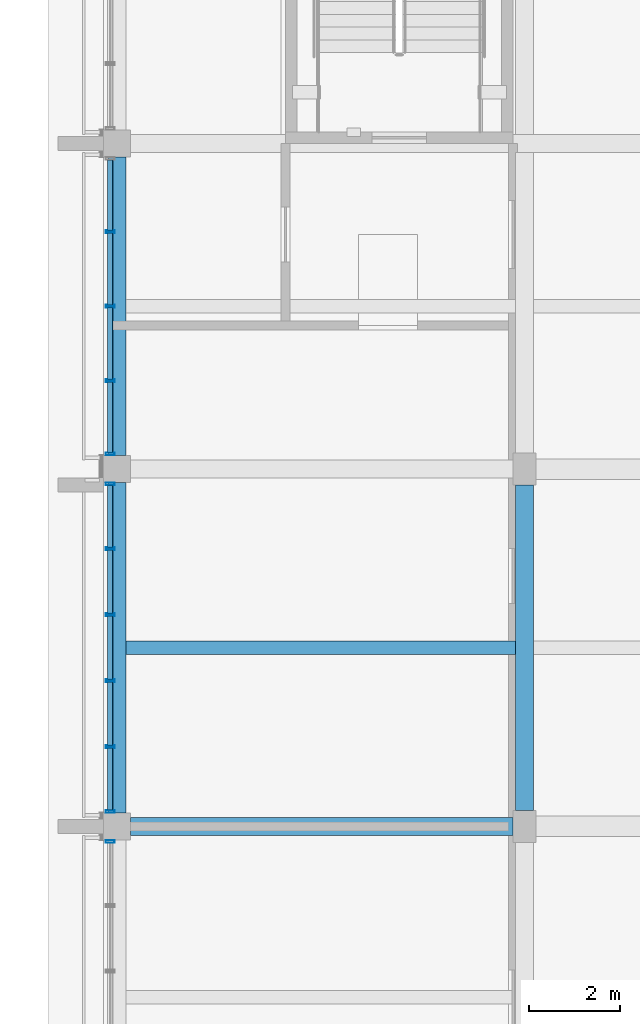
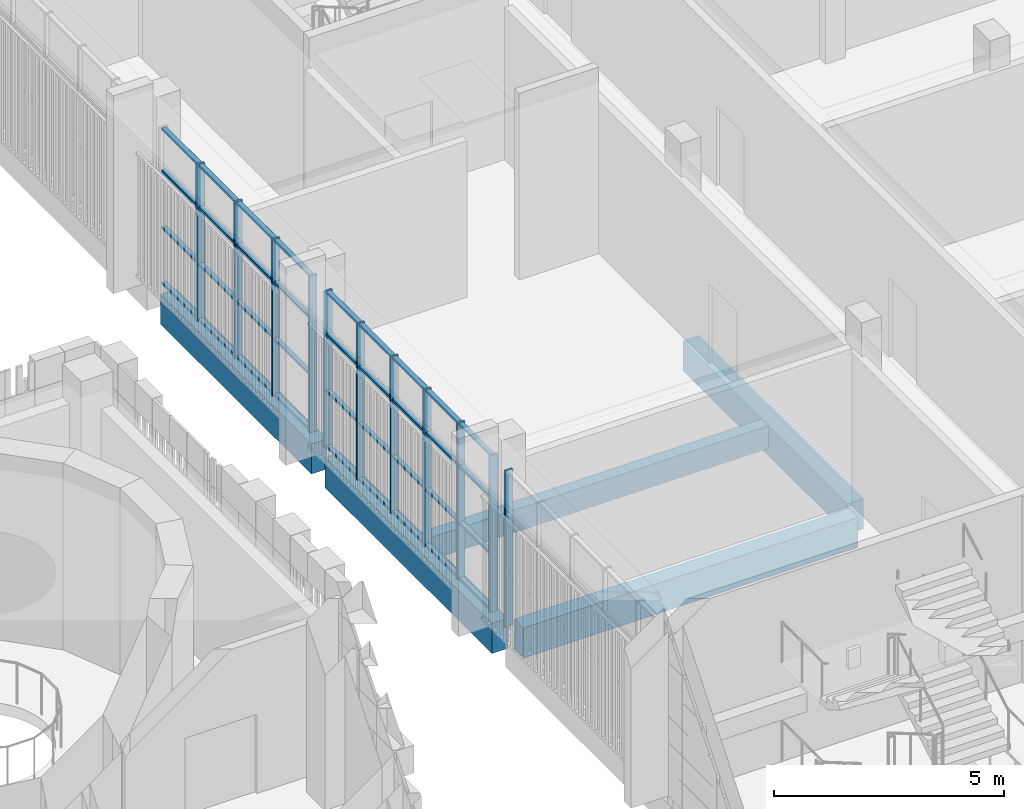
# One storey, part 32 of 125: 47 members, 5 beams, 3 elements without a shape of their own.
"""IFC4 building model written with IfcOpenShell, lengths in metres."""

from ifc_helpers import new_model, si_unit, direction, frame, origin, origin_2d, place, context, subcontext, project, spatial, rectangle, hollow_rectangle, extrude, material, material_profile, profile_set, type_object, element, aggregate, save


model = new_model("IFC4")

# Units and contexts
model_context = context("Model", 3, precision=1e-05, world=origin(), true_north=direction((0.0, 1.0)))
body_context = subcontext(model_context, "Body", "Model", "MODEL_VIEW")
ifc_project = project(units=[si_unit("LENGTHUNIT", "METRE"), si_unit("AREAUNIT", "SQUARE_METRE"), si_unit("VOLUMEUNIT", "CUBIC_METRE"), si_unit("PLANEANGLEUNIT", "RADIAN"), si_unit("MASSUNIT", "GRAM", prefix="KILO")], contexts=[model_context])

# Site, building, storey
site_placement = place(None, origin())
site = spatial("IfcSite", under=ifc_project, at=site_placement, CompositionType="ELEMENT")
building_placement = place(site_placement, origin())
building = spatial("IfcBuilding", under=site, at=building_placement, Name="Sun Court Science Centre", CompositionType="ELEMENT")
storey_placement = place(building_placement, frame((0.0, 0.0, 6.0)))
storey = spatial("IfcBuildingStorey", under=building, at=storey_placement, Name="L01", CompositionType="ELEMENT", Elevation=6.0)

# Curtain wall, member
ifc_material_1 = material(Name="Aluminium EN AW-6063 T6", Category="aluminium")
curtain_wall_type = type_object("IfcCurtainWallType", Name="Laboratory tall bay curtain wall 1500", PredefinedType="NOTDEFINED", material=ifc_material_1)
curtain_wall_1_placement = place(storey_placement, origin())
curtain_wall_1 = element("IfcCurtainWall", 1, at=curtain_wall_1_placement, inside=storey, type_object=curtain_wall_type, Name="Curtain wall V4 W L01 01", PredefinedType="NOTDEFINED")
ifc_material_2 = material(Name="Aluminium EN AW-6063 T6", Category="aluminium")
ifc_material_profile_1 = material_profile(ifc_material_2, hollow_rectangle(XDim=0.06005859375, YDim=0.199951171875, WallThickness=0.0048828125, InnerFilletRadius=0.0048828125, OuterFilletRadius=0.007568359375, at=origin_2d()), Name="AL 60x200x5")
ifc_profile_set_1 = profile_set([ifc_material_profile_1], Name="Aluminium EN AW-6063 T6")
member_type_1 = type_object("IfcMemberType", Name="Curtain wall mullion AL 60x200", PredefinedType="MULLION", material=ifc_profile_set_1)
member_1_placement = place(storey_placement, frame((78.14990234375, 20.669921875, 0.0), z_axis=(0.0, 0.0, 1.0), x_axis=(0.0, 1.0, 0.0)))
member_1 = element("IfcMember", 2, at=member_1_placement, type_object=member_type_1, Name="CW2-10 mullion 6", PredefinedType="MULLION", context=body_context, shape_type="SweptSolid", body=[
    extrude(hollow_rectangle(XDim=0.06005859375, YDim=0.199951171875, WallThickness=0.0048828125, InnerFilletRadius=0.0048828125, OuterFilletRadius=0.007568359375, at=origin_2d()), origin(), (0.0, 0.0, 1.0), 4.14990234375),
])
aggregate(curtain_wall_1, [member_1])

# Curtain wall, members
curtain_wall_2_placement = place(storey_placement, origin())
curtain_wall_2 = element("IfcCurtainWall", 3, at=curtain_wall_2_placement, inside=storey, type_object=curtain_wall_type, Name="Curtain wall V4 W L01 02", PredefinedType="NOTDEFINED")
member_2_placement = place(storey_placement, frame((78.14990234375, 21.330078125, 0.0), z_axis=(0.0, 0.0, 1.0), x_axis=(0.0, 1.0, 0.0)))
member_2 = element("IfcMember", 4, at=member_2_placement, type_object=member_type_1, Name="CW2-11 mullion 1", PredefinedType="MULLION", context=body_context, shape_type="SweptSolid", body=[
    extrude(hollow_rectangle(XDim=0.06005859375, YDim=0.199951171875, WallThickness=0.0048828125, InnerFilletRadius=0.0048828125, OuterFilletRadius=0.007568359375, at=origin_2d()), origin(), (0.0, 0.0, 1.0), 4.14990234375),
])
member_3_placement = place(storey_placement, frame((78.14990234375, 22.75, 0.0), z_axis=(0.0, 0.0, 1.0), x_axis=(0.0, 1.0, 0.0)))
member_3 = element("IfcMember", 5, at=member_3_placement, type_object=member_type_1, Name="CW2-11 mullion 2", PredefinedType="MULLION", context=body_context, shape_type="SweptSolid", body=[
    extrude(hollow_rectangle(XDim=0.06005859375, YDim=0.199951171875, WallThickness=0.0048828125, InnerFilletRadius=0.0048828125, OuterFilletRadius=0.007568359375, at=origin_2d()), origin(), (0.0, 0.0, 1.0), 4.14990234375),
])
member_4_placement = place(storey_placement, frame((78.14990234375, 24.199951171875, 0.0), z_axis=(0.0, 0.0, 1.0), x_axis=(0.0, 1.0, 0.0)))
member_4 = element("IfcMember", 6, at=member_4_placement, type_object=member_type_1, Name="CW2-11 mullion 3", PredefinedType="MULLION", context=body_context, shape_type="SweptSolid", body=[
    extrude(hollow_rectangle(XDim=0.06005859375, YDim=0.199951171875, WallThickness=0.0048828125, InnerFilletRadius=0.0048828125, OuterFilletRadius=0.007568359375, at=origin_2d()), origin(), (0.0, 0.0, 1.0), 4.14990234375),
])
member_5_placement = place(storey_placement, frame((78.14990234375, 25.64990234375, 0.0), z_axis=(0.0, 0.0, 1.0), x_axis=(0.0, 1.0, 0.0)))
member_5 = element("IfcMember", 7, at=member_5_placement, type_object=member_type_1, Name="CW2-11 mullion 4", PredefinedType="MULLION", context=body_context, shape_type="SweptSolid", body=[
    extrude(hollow_rectangle(XDim=0.06005859375, YDim=0.199951171875, WallThickness=0.0048828125, InnerFilletRadius=0.0048828125, OuterFilletRadius=0.007568359375, at=origin_2d()), origin(), (0.0, 0.0, 1.0), 4.14990234375),
])
member_6_placement = place(storey_placement, frame((78.14990234375, 27.10009765625, 0.0), z_axis=(0.0, 0.0, 1.0), x_axis=(0.0, 1.0, 0.0)))
member_6 = element("IfcMember", 8, at=member_6_placement, type_object=member_type_1, Name="CW2-11 mullion 5", PredefinedType="MULLION", context=body_context, shape_type="SweptSolid", body=[
    extrude(hollow_rectangle(XDim=0.06005859375, YDim=0.199951171875, WallThickness=0.0048828125, InnerFilletRadius=0.0048828125, OuterFilletRadius=0.007568359375, at=origin_2d()), origin(), (0.0, 0.0, 1.0), 4.14990234375),
])
member_7_placement = place(storey_placement, frame((78.14990234375, 28.52001953125, 0.0), z_axis=(0.0, 0.0, 1.0), x_axis=(0.0, 1.0, 0.0)))
member_7 = element("IfcMember", 9, at=member_7_placement, type_object=member_type_1, Name="CW2-11 mullion 6", PredefinedType="MULLION", context=body_context, shape_type="SweptSolid", body=[
    extrude(hollow_rectangle(XDim=0.06005859375, YDim=0.199951171875, WallThickness=0.0048828125, InnerFilletRadius=0.0048828125, OuterFilletRadius=0.007568359375, at=origin_2d()), origin(), (0.0, 0.0, 1.0), 4.14990234375),
])

curtain_wall_3_placement = place(storey_placement, origin())
curtain_wall_3 = element("IfcCurtainWall", 10, at=curtain_wall_3_placement, inside=storey, type_object=curtain_wall_type, Name="Curtain wall V4 W L01 03", PredefinedType="NOTDEFINED")
member_8_placement = place(storey_placement, frame((78.14990234375, 29.179931640625, 0.0), z_axis=(0.0, 0.0, 1.0), x_axis=(0.0, 1.0, 0.0)))
member_8 = element("IfcMember", 11, at=member_8_placement, type_object=member_type_1, Name="CW2-12 mullion 1", PredefinedType="MULLION", context=body_context, shape_type="SweptSolid", body=[
    extrude(hollow_rectangle(XDim=0.06005859375, YDim=0.199951171875, WallThickness=0.0048828125, InnerFilletRadius=0.0048828125, OuterFilletRadius=0.007568359375, at=origin_2d()), origin(), (0.0, 0.0, 1.0), 4.14990234375),
])
member_9_placement = place(storey_placement, frame((78.14990234375, 30.78759765625, 0.0), z_axis=(0.0, 0.0, 1.0), x_axis=(0.0, 1.0, 0.0)))
member_9 = element("IfcMember", 12, at=member_9_placement, type_object=member_type_1, Name="CW2-12 mullion 2", PredefinedType="MULLION", context=body_context, shape_type="SweptSolid", body=[
    extrude(hollow_rectangle(XDim=0.06005859375, YDim=0.199951171875, WallThickness=0.0048828125, InnerFilletRadius=0.0048828125, OuterFilletRadius=0.007568359375, at=origin_2d()), origin(), (0.0, 0.0, 1.0), 4.14990234375),
])
member_10_placement = place(storey_placement, frame((78.14990234375, 32.425048828125, 0.0), z_axis=(0.0, 0.0, 1.0), x_axis=(0.0, 1.0, 0.0)))
member_10 = element("IfcMember", 13, at=member_10_placement, type_object=member_type_1, Name="CW2-12 mullion 3", PredefinedType="MULLION", context=body_context, shape_type="SweptSolid", body=[
    extrude(hollow_rectangle(XDim=0.06005859375, YDim=0.199951171875, WallThickness=0.0048828125, InnerFilletRadius=0.0048828125, OuterFilletRadius=0.007568359375, at=origin_2d()), origin(), (0.0, 0.0, 1.0), 4.14990234375),
])
member_11_placement = place(storey_placement, frame((78.14990234375, 34.0625, 0.0), z_axis=(0.0, 0.0, 1.0), x_axis=(0.0, 1.0, 0.0)))
member_11 = element("IfcMember", 14, at=member_11_placement, type_object=member_type_1, Name="CW2-12 mullion 4", PredefinedType="MULLION", context=body_context, shape_type="SweptSolid", body=[
    extrude(hollow_rectangle(XDim=0.06005859375, YDim=0.199951171875, WallThickness=0.0048828125, InnerFilletRadius=0.0048828125, OuterFilletRadius=0.007568359375, at=origin_2d()), origin(), (0.0, 0.0, 1.0), 4.14990234375),
])

# Member
ifc_material_3 = material(Name="Aluminium EN AW-6063 T6", Category="aluminium")
ifc_material_profile_2 = material_profile(ifc_material_3, hollow_rectangle(XDim=0.06005859375, YDim=0.1201171875, WallThickness=0.00390625, InnerFilletRadius=0.00390625, OuterFilletRadius=0.006103515625, at=origin_2d()), Name="AL 60x120x4")
ifc_profile_set_2 = profile_set([ifc_material_profile_2], Name="Aluminium EN AW-6063 T6")
member_type_2 = type_object("IfcMemberType", Name="Curtain wall transom AL 60x120", PredefinedType="USERDEFINED", material=ifc_profile_set_2)
member_12_placement = place(storey_placement, frame((78.14990234375, 21.360107421875, 0.030029296875), z_axis=(0.0, 1.0, 0.0), x_axis=(0.0, 0.0, 1.0)))
member_12 = element("IfcMember", 15, at=member_12_placement, type_object=member_type_2, Name="CW2-11 transom 1.1", ObjectType="TRANSOM", PredefinedType="USERDEFINED", context=body_context, shape_type="SweptSolid", body=[
    extrude(hollow_rectangle(XDim=0.06005859375, YDim=0.1201171875, WallThickness=0.00390625, InnerFilletRadius=0.00390625, OuterFilletRadius=0.006103515625, at=origin_2d()), origin(), (0.0, 0.0, 1.0), 1.35986328125),
])

member_13_placement = place(storey_placement, frame((78.14990234375, 22.780029296875, 0.030029296875), z_axis=(0.0, 1.0, 0.0), x_axis=(0.0, 0.0, 1.0)))
member_13 = element("IfcMember", 16, at=member_13_placement, type_object=member_type_2, Name="CW2-11 transom 2.1", ObjectType="TRANSOM", PredefinedType="USERDEFINED", context=body_context, shape_type="SweptSolid", body=[
    extrude(hollow_rectangle(XDim=0.06005859375, YDim=0.1201171875, WallThickness=0.00390625, InnerFilletRadius=0.00390625, OuterFilletRadius=0.006103515625, at=origin_2d()), origin(), (0.0, 0.0, 1.0), 1.389892578125),
])

member_14_placement = place(storey_placement, frame((78.14990234375, 24.22998046875, 0.030029296875), z_axis=(0.0, 1.0, 0.0), x_axis=(0.0, 0.0, 1.0)))
member_14 = element("IfcMember", 17, at=member_14_placement, type_object=member_type_2, Name="CW2-11 transom 3.1", ObjectType="TRANSOM", PredefinedType="USERDEFINED", context=body_context, shape_type="SweptSolid", body=[
    extrude(hollow_rectangle(XDim=0.06005859375, YDim=0.1201171875, WallThickness=0.00390625, InnerFilletRadius=0.00390625, OuterFilletRadius=0.006103515625, at=origin_2d()), origin(), (0.0, 0.0, 1.0), 1.39013671875),
])

member_15_placement = place(storey_placement, frame((78.14990234375, 25.679931640625, 0.030029296875), z_axis=(0.0, 1.0, 0.0), x_axis=(0.0, 0.0, 1.0)))
member_15 = element("IfcMember", 18, at=member_15_placement, type_object=member_type_2, Name="CW2-11 transom 4.1", ObjectType="TRANSOM", PredefinedType="USERDEFINED", context=body_context, shape_type="SweptSolid", body=[
    extrude(hollow_rectangle(XDim=0.06005859375, YDim=0.1201171875, WallThickness=0.00390625, InnerFilletRadius=0.00390625, OuterFilletRadius=0.006103515625, at=origin_2d()), origin(), (0.0, 0.0, 1.0), 1.39013671875),
])

member_16_placement = place(storey_placement, frame((78.14990234375, 27.1298828125, 0.030029296875), z_axis=(0.0, 1.0, 0.0), x_axis=(0.0, 0.0, 1.0)))
member_16 = element("IfcMember", 19, at=member_16_placement, type_object=member_type_2, Name="CW2-11 transom 5.1", ObjectType="TRANSOM", PredefinedType="USERDEFINED", context=body_context, shape_type="SweptSolid", body=[
    extrude(hollow_rectangle(XDim=0.06005859375, YDim=0.1201171875, WallThickness=0.00390625, InnerFilletRadius=0.00390625, OuterFilletRadius=0.006103515625, at=origin_2d()), origin(), (0.0, 0.0, 1.0), 1.360107421875),
])

member_17_placement = place(storey_placement, frame((78.14990234375, 21.360107421875, 1.5), z_axis=(0.0, 1.0, 0.0), x_axis=(0.0, 0.0, 1.0)))
member_17 = element("IfcMember", 20, at=member_17_placement, type_object=member_type_2, Name="CW2-11 transom 1.2", ObjectType="TRANSOM", PredefinedType="USERDEFINED", context=body_context, shape_type="SweptSolid", body=[
    extrude(hollow_rectangle(XDim=0.06005859375, YDim=0.1201171875, WallThickness=0.00390625, InnerFilletRadius=0.00390625, OuterFilletRadius=0.006103515625, at=origin_2d()), origin(), (0.0, 0.0, 1.0), 1.35986328125),
])

member_18_placement = place(storey_placement, frame((78.14990234375, 22.780029296875, 1.5), z_axis=(0.0, 1.0, 0.0), x_axis=(0.0, 0.0, 1.0)))
member_18 = element("IfcMember", 21, at=member_18_placement, type_object=member_type_2, Name="CW2-11 transom 2.2", ObjectType="TRANSOM", PredefinedType="USERDEFINED", context=body_context, shape_type="SweptSolid", body=[
    extrude(hollow_rectangle(XDim=0.06005859375, YDim=0.1201171875, WallThickness=0.00390625, InnerFilletRadius=0.00390625, OuterFilletRadius=0.006103515625, at=origin_2d()), origin(), (0.0, 0.0, 1.0), 1.389892578125),
])

member_19_placement = place(storey_placement, frame((78.14990234375, 24.22998046875, 1.5), z_axis=(0.0, 1.0, 0.0), x_axis=(0.0, 0.0, 1.0)))
member_19 = element("IfcMember", 22, at=member_19_placement, type_object=member_type_2, Name="CW2-11 transom 3.2", ObjectType="TRANSOM", PredefinedType="USERDEFINED", context=body_context, shape_type="SweptSolid", body=[
    extrude(hollow_rectangle(XDim=0.06005859375, YDim=0.1201171875, WallThickness=0.00390625, InnerFilletRadius=0.00390625, OuterFilletRadius=0.006103515625, at=origin_2d()), origin(), (0.0, 0.0, 1.0), 1.39013671875),
])

member_20_placement = place(storey_placement, frame((78.14990234375, 25.679931640625, 1.5), z_axis=(0.0, 1.0, 0.0), x_axis=(0.0, 0.0, 1.0)))
member_20 = element("IfcMember", 23, at=member_20_placement, type_object=member_type_2, Name="CW2-11 transom 4.2", ObjectType="TRANSOM", PredefinedType="USERDEFINED", context=body_context, shape_type="SweptSolid", body=[
    extrude(hollow_rectangle(XDim=0.06005859375, YDim=0.1201171875, WallThickness=0.00390625, InnerFilletRadius=0.00390625, OuterFilletRadius=0.006103515625, at=origin_2d()), origin(), (0.0, 0.0, 1.0), 1.39013671875),
])

member_21_placement = place(storey_placement, frame((78.14990234375, 27.1298828125, 1.5), z_axis=(0.0, 1.0, 0.0), x_axis=(0.0, 0.0, 1.0)))
member_21 = element("IfcMember", 24, at=member_21_placement, type_object=member_type_2, Name="CW2-11 transom 5.2", ObjectType="TRANSOM", PredefinedType="USERDEFINED", context=body_context, shape_type="SweptSolid", body=[
    extrude(hollow_rectangle(XDim=0.06005859375, YDim=0.1201171875, WallThickness=0.00390625, InnerFilletRadius=0.00390625, OuterFilletRadius=0.006103515625, at=origin_2d()), origin(), (0.0, 0.0, 1.0), 1.360107421875),
])

member_22_placement = place(storey_placement, frame((78.14990234375, 21.360107421875, 3.0), z_axis=(0.0, 1.0, 0.0), x_axis=(0.0, 0.0, 1.0)))
member_22 = element("IfcMember", 25, at=member_22_placement, type_object=member_type_2, Name="CW2-11 transom 1.3", ObjectType="TRANSOM", PredefinedType="USERDEFINED", context=body_context, shape_type="SweptSolid", body=[
    extrude(hollow_rectangle(XDim=0.06005859375, YDim=0.1201171875, WallThickness=0.00390625, InnerFilletRadius=0.00390625, OuterFilletRadius=0.006103515625, at=origin_2d()), origin(), (0.0, 0.0, 1.0), 1.35986328125),
])

member_23_placement = place(storey_placement, frame((78.14990234375, 22.780029296875, 3.0), z_axis=(0.0, 1.0, 0.0), x_axis=(0.0, 0.0, 1.0)))
member_23 = element("IfcMember", 26, at=member_23_placement, type_object=member_type_2, Name="CW2-11 transom 2.3", ObjectType="TRANSOM", PredefinedType="USERDEFINED", context=body_context, shape_type="SweptSolid", body=[
    extrude(hollow_rectangle(XDim=0.06005859375, YDim=0.1201171875, WallThickness=0.00390625, InnerFilletRadius=0.00390625, OuterFilletRadius=0.006103515625, at=origin_2d()), origin(), (0.0, 0.0, 1.0), 1.389892578125),
])

member_24_placement = place(storey_placement, frame((78.14990234375, 24.22998046875, 3.0), z_axis=(0.0, 1.0, 0.0), x_axis=(0.0, 0.0, 1.0)))
member_24 = element("IfcMember", 27, at=member_24_placement, type_object=member_type_2, Name="CW2-11 transom 3.3", ObjectType="TRANSOM", PredefinedType="USERDEFINED", context=body_context, shape_type="SweptSolid", body=[
    extrude(hollow_rectangle(XDim=0.06005859375, YDim=0.1201171875, WallThickness=0.00390625, InnerFilletRadius=0.00390625, OuterFilletRadius=0.006103515625, at=origin_2d()), origin(), (0.0, 0.0, 1.0), 1.39013671875),
])

member_25_placement = place(storey_placement, frame((78.14990234375, 25.679931640625, 3.0), z_axis=(0.0, 1.0, 0.0), x_axis=(0.0, 0.0, 1.0)))
member_25 = element("IfcMember", 28, at=member_25_placement, type_object=member_type_2, Name="CW2-11 transom 4.3", ObjectType="TRANSOM", PredefinedType="USERDEFINED", context=body_context, shape_type="SweptSolid", body=[
    extrude(hollow_rectangle(XDim=0.06005859375, YDim=0.1201171875, WallThickness=0.00390625, InnerFilletRadius=0.00390625, OuterFilletRadius=0.006103515625, at=origin_2d()), origin(), (0.0, 0.0, 1.0), 1.39013671875),
])

member_26_placement = place(storey_placement, frame((78.14990234375, 27.1298828125, 3.0), z_axis=(0.0, 1.0, 0.0), x_axis=(0.0, 0.0, 1.0)))
member_26 = element("IfcMember", 29, at=member_26_placement, type_object=member_type_2, Name="CW2-11 transom 5.3", ObjectType="TRANSOM", PredefinedType="USERDEFINED", context=body_context, shape_type="SweptSolid", body=[
    extrude(hollow_rectangle(XDim=0.06005859375, YDim=0.1201171875, WallThickness=0.00390625, InnerFilletRadius=0.00390625, OuterFilletRadius=0.006103515625, at=origin_2d()), origin(), (0.0, 0.0, 1.0), 1.360107421875),
])

member_27_placement = place(storey_placement, frame((78.14990234375, 21.360107421875, 4.1201171875), z_axis=(0.0, 1.0, 0.0), x_axis=(0.0, 0.0, 1.0)))
member_27 = element("IfcMember", 30, at=member_27_placement, type_object=member_type_2, Name="CW2-11 transom 1.4", ObjectType="TRANSOM", PredefinedType="USERDEFINED", context=body_context, shape_type="SweptSolid", body=[
    extrude(hollow_rectangle(XDim=0.06005859375, YDim=0.1201171875, WallThickness=0.00390625, InnerFilletRadius=0.00390625, OuterFilletRadius=0.006103515625, at=origin_2d()), origin(), (0.0, 0.0, 1.0), 1.35986328125),
])

member_28_placement = place(storey_placement, frame((78.14990234375, 22.780029296875, 4.1201171875), z_axis=(0.0, 1.0, 0.0), x_axis=(0.0, 0.0, 1.0)))
member_28 = element("IfcMember", 31, at=member_28_placement, type_object=member_type_2, Name="CW2-11 transom 2.4", ObjectType="TRANSOM", PredefinedType="USERDEFINED", context=body_context, shape_type="SweptSolid", body=[
    extrude(hollow_rectangle(XDim=0.06005859375, YDim=0.1201171875, WallThickness=0.00390625, InnerFilletRadius=0.00390625, OuterFilletRadius=0.006103515625, at=origin_2d()), origin(), (0.0, 0.0, 1.0), 1.389892578125),
])

member_29_placement = place(storey_placement, frame((78.14990234375, 24.22998046875, 4.1201171875), z_axis=(0.0, 1.0, 0.0), x_axis=(0.0, 0.0, 1.0)))
member_29 = element("IfcMember", 32, at=member_29_placement, type_object=member_type_2, Name="CW2-11 transom 3.4", ObjectType="TRANSOM", PredefinedType="USERDEFINED", context=body_context, shape_type="SweptSolid", body=[
    extrude(hollow_rectangle(XDim=0.06005859375, YDim=0.1201171875, WallThickness=0.00390625, InnerFilletRadius=0.00390625, OuterFilletRadius=0.006103515625, at=origin_2d()), origin(), (0.0, 0.0, 1.0), 1.39013671875),
])

member_30_placement = place(storey_placement, frame((78.14990234375, 25.679931640625, 4.1201171875), z_axis=(0.0, 1.0, 0.0), x_axis=(0.0, 0.0, 1.0)))
member_30 = element("IfcMember", 33, at=member_30_placement, type_object=member_type_2, Name="CW2-11 transom 4.4", ObjectType="TRANSOM", PredefinedType="USERDEFINED", context=body_context, shape_type="SweptSolid", body=[
    extrude(hollow_rectangle(XDim=0.06005859375, YDim=0.1201171875, WallThickness=0.00390625, InnerFilletRadius=0.00390625, OuterFilletRadius=0.006103515625, at=origin_2d()), origin(), (0.0, 0.0, 1.0), 1.39013671875),
])

member_31_placement = place(storey_placement, frame((78.14990234375, 27.1298828125, 4.1201171875), z_axis=(0.0, 1.0, 0.0), x_axis=(0.0, 0.0, 1.0)))
member_31 = element("IfcMember", 34, at=member_31_placement, type_object=member_type_2, Name="CW2-11 transom 5.4", ObjectType="TRANSOM", PredefinedType="USERDEFINED", context=body_context, shape_type="SweptSolid", body=[
    extrude(hollow_rectangle(XDim=0.06005859375, YDim=0.1201171875, WallThickness=0.00390625, InnerFilletRadius=0.00390625, OuterFilletRadius=0.006103515625, at=origin_2d()), origin(), (0.0, 0.0, 1.0), 1.360107421875),
])

aggregate(curtain_wall_2, [member_2, member_3, member_4, member_5, member_6, member_7, member_12, member_13, member_14, member_15, member_16, member_17, member_18, member_19, member_20, member_21, member_22, member_23, member_24, member_25, member_26, member_27, member_28, member_29, member_30, member_31])

member_32_placement = place(storey_placement, frame((78.14990234375, 29.2099609375, 0.030029296875), z_axis=(0.0, 1.0, 0.0), x_axis=(0.0, 0.0, 1.0)))
member_32 = element("IfcMember", 35, at=member_32_placement, type_object=member_type_2, Name="CW2-12 transom 1.1", ObjectType="TRANSOM", PredefinedType="USERDEFINED", context=body_context, shape_type="SweptSolid", body=[
    extrude(hollow_rectangle(XDim=0.06005859375, YDim=0.1201171875, WallThickness=0.00390625, InnerFilletRadius=0.00390625, OuterFilletRadius=0.006103515625, at=origin_2d()), origin(), (0.0, 0.0, 1.0), 1.547607421875),
])

member_33_placement = place(storey_placement, frame((78.14990234375, 30.8173828125, 0.030029296875), z_axis=(0.0, 1.0, 0.0), x_axis=(0.0, 0.0, 1.0)))
member_33 = element("IfcMember", 36, at=member_33_placement, type_object=member_type_2, Name="CW2-12 transom 2.1", ObjectType="TRANSOM", PredefinedType="USERDEFINED", context=body_context, shape_type="SweptSolid", body=[
    extrude(hollow_rectangle(XDim=0.06005859375, YDim=0.1201171875, WallThickness=0.00390625, InnerFilletRadius=0.00390625, OuterFilletRadius=0.006103515625, at=origin_2d()), origin(), (0.0, 0.0, 1.0), 1.57763671875),
])

member_34_placement = place(storey_placement, frame((78.14990234375, 32.455078125, 0.030029296875), z_axis=(0.0, 1.0, 0.0), x_axis=(0.0, 0.0, 1.0)))
member_34 = element("IfcMember", 37, at=member_34_placement, type_object=member_type_2, Name="CW2-12 transom 3.1", ObjectType="TRANSOM", PredefinedType="USERDEFINED", context=body_context, shape_type="SweptSolid", body=[
    extrude(hollow_rectangle(XDim=0.06005859375, YDim=0.1201171875, WallThickness=0.00390625, InnerFilletRadius=0.00390625, OuterFilletRadius=0.006103515625, at=origin_2d()), origin(), (0.0, 0.0, 1.0), 1.577392578125),
])

member_35_placement = place(storey_placement, frame((78.14990234375, 34.092529296875, 0.030029296875), z_axis=(0.0, 1.0, 0.0), x_axis=(0.0, 0.0, 1.0)))
member_35 = element("IfcMember", 38, at=member_35_placement, type_object=member_type_2, Name="CW2-12 transom 4.1", ObjectType="TRANSOM", PredefinedType="USERDEFINED", context=body_context, shape_type="SweptSolid", body=[
    extrude(hollow_rectangle(XDim=0.06005859375, YDim=0.1201171875, WallThickness=0.00390625, InnerFilletRadius=0.00390625, OuterFilletRadius=0.006103515625, at=origin_2d()), origin(), (0.0, 0.0, 1.0), 1.54736328125),
])

member_36_placement = place(storey_placement, frame((78.14990234375, 29.2099609375, 1.5), z_axis=(0.0, 1.0, 0.0), x_axis=(0.0, 0.0, 1.0)))
member_36 = element("IfcMember", 39, at=member_36_placement, type_object=member_type_2, Name="CW2-12 transom 1.2", ObjectType="TRANSOM", PredefinedType="USERDEFINED", context=body_context, shape_type="SweptSolid", body=[
    extrude(hollow_rectangle(XDim=0.06005859375, YDim=0.1201171875, WallThickness=0.00390625, InnerFilletRadius=0.00390625, OuterFilletRadius=0.006103515625, at=origin_2d()), origin(), (0.0, 0.0, 1.0), 1.547607421875),
])

member_37_placement = place(storey_placement, frame((78.14990234375, 30.8173828125, 1.5), z_axis=(0.0, 1.0, 0.0), x_axis=(0.0, 0.0, 1.0)))
member_37 = element("IfcMember", 40, at=member_37_placement, type_object=member_type_2, Name="CW2-12 transom 2.2", ObjectType="TRANSOM", PredefinedType="USERDEFINED", context=body_context, shape_type="SweptSolid", body=[
    extrude(hollow_rectangle(XDim=0.06005859375, YDim=0.1201171875, WallThickness=0.00390625, InnerFilletRadius=0.00390625, OuterFilletRadius=0.006103515625, at=origin_2d()), origin(), (0.0, 0.0, 1.0), 1.57763671875),
])

member_38_placement = place(storey_placement, frame((78.14990234375, 32.455078125, 1.5), z_axis=(0.0, 1.0, 0.0), x_axis=(0.0, 0.0, 1.0)))
member_38 = element("IfcMember", 41, at=member_38_placement, type_object=member_type_2, Name="CW2-12 transom 3.2", ObjectType="TRANSOM", PredefinedType="USERDEFINED", context=body_context, shape_type="SweptSolid", body=[
    extrude(hollow_rectangle(XDim=0.06005859375, YDim=0.1201171875, WallThickness=0.00390625, InnerFilletRadius=0.00390625, OuterFilletRadius=0.006103515625, at=origin_2d()), origin(), (0.0, 0.0, 1.0), 1.577392578125),
])

member_39_placement = place(storey_placement, frame((78.14990234375, 34.092529296875, 1.5), z_axis=(0.0, 1.0, 0.0), x_axis=(0.0, 0.0, 1.0)))
member_39 = element("IfcMember", 42, at=member_39_placement, type_object=member_type_2, Name="CW2-12 transom 4.2", ObjectType="TRANSOM", PredefinedType="USERDEFINED", context=body_context, shape_type="SweptSolid", body=[
    extrude(hollow_rectangle(XDim=0.06005859375, YDim=0.1201171875, WallThickness=0.00390625, InnerFilletRadius=0.00390625, OuterFilletRadius=0.006103515625, at=origin_2d()), origin(), (0.0, 0.0, 1.0), 1.54736328125),
])

member_40_placement = place(storey_placement, frame((78.14990234375, 29.2099609375, 3.0), z_axis=(0.0, 1.0, 0.0), x_axis=(0.0, 0.0, 1.0)))
member_40 = element("IfcMember", 43, at=member_40_placement, type_object=member_type_2, Name="CW2-12 transom 1.3", ObjectType="TRANSOM", PredefinedType="USERDEFINED", context=body_context, shape_type="SweptSolid", body=[
    extrude(hollow_rectangle(XDim=0.06005859375, YDim=0.1201171875, WallThickness=0.00390625, InnerFilletRadius=0.00390625, OuterFilletRadius=0.006103515625, at=origin_2d()), origin(), (0.0, 0.0, 1.0), 1.547607421875),
])

member_41_placement = place(storey_placement, frame((78.14990234375, 30.8173828125, 3.0), z_axis=(0.0, 1.0, 0.0), x_axis=(0.0, 0.0, 1.0)))
member_41 = element("IfcMember", 44, at=member_41_placement, type_object=member_type_2, Name="CW2-12 transom 2.3", ObjectType="TRANSOM", PredefinedType="USERDEFINED", context=body_context, shape_type="SweptSolid", body=[
    extrude(hollow_rectangle(XDim=0.06005859375, YDim=0.1201171875, WallThickness=0.00390625, InnerFilletRadius=0.00390625, OuterFilletRadius=0.006103515625, at=origin_2d()), origin(), (0.0, 0.0, 1.0), 1.57763671875),
])

member_42_placement = place(storey_placement, frame((78.14990234375, 32.455078125, 3.0), z_axis=(0.0, 1.0, 0.0), x_axis=(0.0, 0.0, 1.0)))
member_42 = element("IfcMember", 45, at=member_42_placement, type_object=member_type_2, Name="CW2-12 transom 3.3", ObjectType="TRANSOM", PredefinedType="USERDEFINED", context=body_context, shape_type="SweptSolid", body=[
    extrude(hollow_rectangle(XDim=0.06005859375, YDim=0.1201171875, WallThickness=0.00390625, InnerFilletRadius=0.00390625, OuterFilletRadius=0.006103515625, at=origin_2d()), origin(), (0.0, 0.0, 1.0), 1.577392578125),
])

member_43_placement = place(storey_placement, frame((78.14990234375, 34.092529296875, 3.0), z_axis=(0.0, 1.0, 0.0), x_axis=(0.0, 0.0, 1.0)))
member_43 = element("IfcMember", 46, at=member_43_placement, type_object=member_type_2, Name="CW2-12 transom 4.3", ObjectType="TRANSOM", PredefinedType="USERDEFINED", context=body_context, shape_type="SweptSolid", body=[
    extrude(hollow_rectangle(XDim=0.06005859375, YDim=0.1201171875, WallThickness=0.00390625, InnerFilletRadius=0.00390625, OuterFilletRadius=0.006103515625, at=origin_2d()), origin(), (0.0, 0.0, 1.0), 1.54736328125),
])

member_44_placement = place(storey_placement, frame((78.14990234375, 29.2099609375, 4.1201171875), z_axis=(0.0, 1.0, 0.0), x_axis=(0.0, 0.0, 1.0)))
member_44 = element("IfcMember", 47, at=member_44_placement, type_object=member_type_2, Name="CW2-12 transom 1.4", ObjectType="TRANSOM", PredefinedType="USERDEFINED", context=body_context, shape_type="SweptSolid", body=[
    extrude(hollow_rectangle(XDim=0.06005859375, YDim=0.1201171875, WallThickness=0.00390625, InnerFilletRadius=0.00390625, OuterFilletRadius=0.006103515625, at=origin_2d()), origin(), (0.0, 0.0, 1.0), 1.547607421875),
])

member_45_placement = place(storey_placement, frame((78.14990234375, 30.8173828125, 4.1201171875), z_axis=(0.0, 1.0, 0.0), x_axis=(0.0, 0.0, 1.0)))
member_45 = element("IfcMember", 48, at=member_45_placement, type_object=member_type_2, Name="CW2-12 transom 2.4", ObjectType="TRANSOM", PredefinedType="USERDEFINED", context=body_context, shape_type="SweptSolid", body=[
    extrude(hollow_rectangle(XDim=0.06005859375, YDim=0.1201171875, WallThickness=0.00390625, InnerFilletRadius=0.00390625, OuterFilletRadius=0.006103515625, at=origin_2d()), origin(), (0.0, 0.0, 1.0), 1.57763671875),
])

member_46_placement = place(storey_placement, frame((78.14990234375, 32.455078125, 4.1201171875), z_axis=(0.0, 1.0, 0.0), x_axis=(0.0, 0.0, 1.0)))
member_46 = element("IfcMember", 49, at=member_46_placement, type_object=member_type_2, Name="CW2-12 transom 3.4", ObjectType="TRANSOM", PredefinedType="USERDEFINED", context=body_context, shape_type="SweptSolid", body=[
    extrude(hollow_rectangle(XDim=0.06005859375, YDim=0.1201171875, WallThickness=0.00390625, InnerFilletRadius=0.00390625, OuterFilletRadius=0.006103515625, at=origin_2d()), origin(), (0.0, 0.0, 1.0), 1.577392578125),
])

member_47_placement = place(storey_placement, frame((78.14990234375, 34.092529296875, 4.1201171875), z_axis=(0.0, 1.0, 0.0), x_axis=(0.0, 0.0, 1.0)))
member_47 = element("IfcMember", 50, at=member_47_placement, type_object=member_type_2, Name="CW2-12 transom 4.4", ObjectType="TRANSOM", PredefinedType="USERDEFINED", context=body_context, shape_type="SweptSolid", body=[
    extrude(hollow_rectangle(XDim=0.06005859375, YDim=0.1201171875, WallThickness=0.00390625, InnerFilletRadius=0.00390625, OuterFilletRadius=0.006103515625, at=origin_2d()), origin(), (0.0, 0.0, 1.0), 1.54736328125),
])

aggregate(curtain_wall_3, [member_8, member_9, member_10, member_11, member_32, member_33, member_34, member_35, member_36, member_37, member_38, member_39, member_40, member_41, member_42, member_43, member_44, member_45, member_46, member_47])

# Beams
ifc_material_4 = material(Name="Concrete C25/30", Category="concrete")
ifc_material_profile_3 = material_profile(ifc_material_4, rectangle(XDim=0.39990234375, YDim=0.800048828125, at=origin_2d()), Name="RC 400x800")
ifc_profile_set_3 = profile_set([ifc_material_profile_3], Name="Concrete C25/30")
beam_type_1 = type_object("IfcBeamType", Name="RC girder 400x800", PredefinedType="BEAM", material=ifc_profile_set_3)
beam_1_placement = place(storey_placement, frame((78.60009765625, 21.0, -0.699951171875), z_axis=(1.0, 0.0, 0.0), x_axis=(0.0, 1.0, 0.0)))
element("IfcBeam", 51, at=beam_1_placement, inside=storey, type_object=beam_type_1, Name="Girder L01 row 3", PredefinedType="BEAM", context=body_context, shape_type="SweptSolid", body=[
    extrude(rectangle(XDim=0.39990234375, YDim=0.800048828125, at=origin_2d()), origin(), (0.0, 0.0, 1.0), 8.39990234375),
])
beam_2_placement = place(storey_placement, frame((78.300048828125, 21.300048828125, -0.699951171875), z_axis=(0.0, 1.0, 0.0), x_axis=(-1.0, 0.0, 0.0)))
element("IfcBeam", 52, at=beam_2_placement, inside=storey, type_object=beam_type_1, Name="Girder L01 line 1", PredefinedType="BEAM", context=body_context, shape_type="SweptSolid", body=[
    extrude(rectangle(XDim=0.39990234375, YDim=0.800048828125, at=origin_2d()), origin(), (0.0, 0.0, 1.0), 7.25),
])
beam_3_placement = place(storey_placement, frame((78.300048828125, 29.14990234375, -0.699951171875), z_axis=(0.0, 1.0, 0.0), x_axis=(-1.0, 0.0, 0.0)))
element("IfcBeam", 53, at=beam_3_placement, inside=storey, type_object=beam_type_1, Name="Girder L01 line 1", PredefinedType="BEAM", context=body_context, shape_type="SweptSolid", body=[
    extrude(rectangle(XDim=0.39990234375, YDim=0.800048828125, at=origin_2d()), origin(), (0.0, 0.0, 1.0), 6.550048828125),
])
beam_4_placement = place(storey_placement, frame((87.25, 21.35009765625, -0.699951171875), z_axis=(0.0, 1.0, 0.0), x_axis=(-1.0, 0.0, 0.0)))
element("IfcBeam", 54, at=beam_4_placement, inside=storey, type_object=beam_type_1, Name="Girder L01 line 2", PredefinedType="BEAM", context=body_context, shape_type="SweptSolid", body=[
    extrude(rectangle(XDim=0.39990234375, YDim=0.800048828125, at=origin_2d()), origin(), (0.0, 0.0, 1.0), 7.14990234375),
])
ifc_material_5 = material(Name="Concrete C25/30", Category="concrete")
ifc_material_profile_4 = material_profile(ifc_material_5, rectangle(XDim=0.300048828125, YDim=0.60009765625, at=origin_2d()), Name="RC 300x600")
ifc_profile_set_4 = profile_set([ifc_material_profile_4], Name="Concrete C25/30")
beam_type_2 = type_object("IfcBeamType", Name="RC joist 300x600", PredefinedType="JOIST", material=ifc_profile_set_4)
beam_5_placement = place(storey_placement, frame((78.5, 24.925048828125, -0.60009765625), z_axis=(1.0, 0.0, 0.0), x_axis=(0.0, 1.0, 0.0)))
element("IfcBeam", 55, at=beam_5_placement, inside=storey, type_object=beam_type_2, Name="Joist L01", PredefinedType="JOIST", context=body_context, shape_type="SweptSolid", body=[
    extrude(rectangle(XDim=0.300048828125, YDim=0.60009765625, at=origin_2d()), origin(), (0.0, 0.0, 1.0), 8.550048828125),
])

save(model, "model.ifc")
